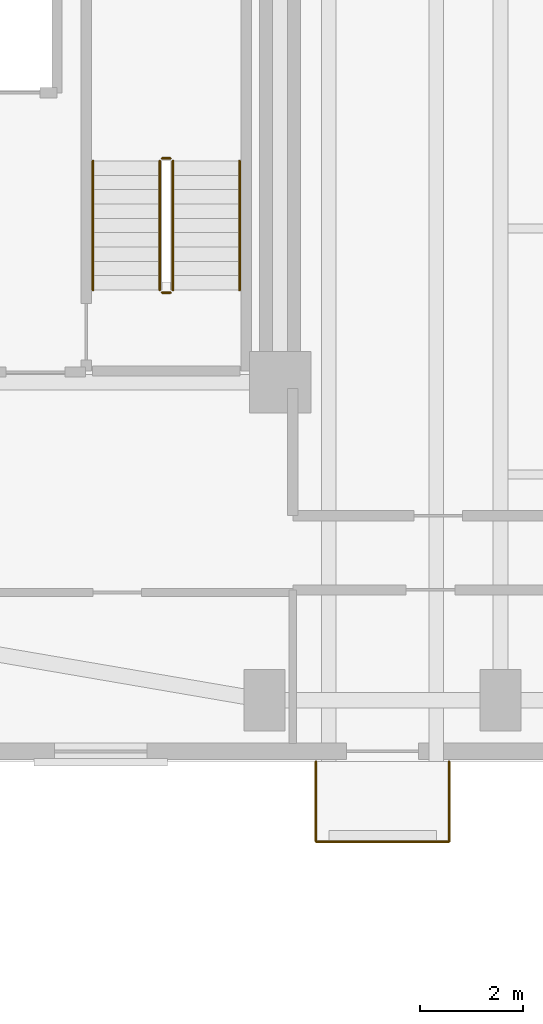
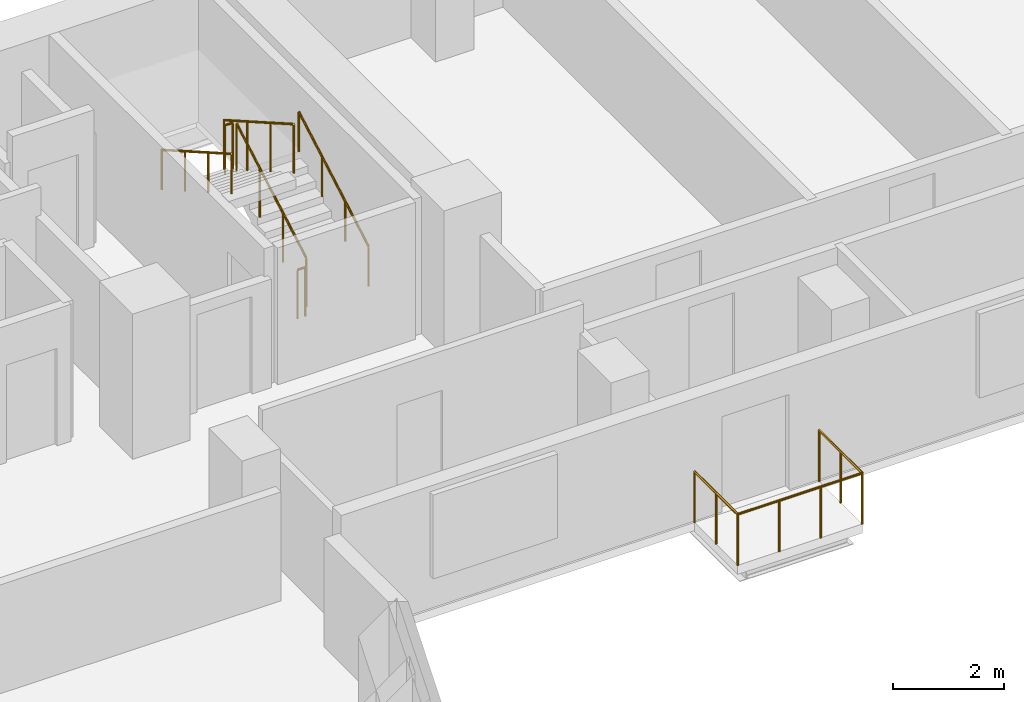
# One storey, part 9 of 11: 9 railings.
"""IFC4 building model written with IfcOpenShell, lengths in metres."""

from ifc_helpers import new_model, si_unit, direction, frame, origin, origin_2d, place, context, subcontext, project, spatial, circle, extrude, material, layer, layer_set, type_object, element, save


model = new_model("IFC4")

# Units and contexts
model_context = context("Model", 3, precision=1e-05, world=origin(), true_north=direction((0.0, 1.0)))
body_context = subcontext(model_context, "Body", "Model", "MODEL_VIEW")
ifc_project = project(units=[si_unit("LENGTHUNIT", "METRE"), si_unit("AREAUNIT", "SQUARE_METRE"), si_unit("VOLUMEUNIT", "CUBIC_METRE"), si_unit("PLANEANGLEUNIT", "RADIAN"), si_unit("MASSUNIT", "GRAM", prefix="KILO")], contexts=[model_context])

# Site, building, storey
site_placement = place(None, origin())
site = spatial("IfcSite", under=ifc_project, at=site_placement, CompositionType="ELEMENT")
building_placement = place(site_placement, origin())
building = spatial("IfcBuilding", under=site, at=building_placement, Name="Kuzgunbayir Cultural Tower", CompositionType="ELEMENT")
storey_placement = place(building_placement, frame((0.0, 0.0, 86.60009765625)))
storey = spatial("IfcBuildingStorey", under=building, at=storey_placement, Name="L24", CompositionType="ELEMENT", Elevation=86.60009765625)

# Railings
ifc_material_1 = material(Name="Laminated Glass and Stainless Steel", Category="steel")
ifc_layer_1 = layer(ifc_material_1, 0.080078125)
ifc_layer_set_1 = layer_set([ifc_layer_1], Name="Laminated Glass and Stainless Steel")
railing_type_1 = type_object("IfcRailingType", Name="RLG-BAL-115", PredefinedType="BALUSTRADE", material=ifc_layer_set_1)
railing_1_placement = place(storey_placement, frame((27.60009765625, 26.39990234375, 0.0)))
element("IfcRailing", 1, at=railing_1_placement, inside=storey, type_object=railing_type_1, Name="L24 Balcony Guard BAL-L24-WB1 Segment 1", PredefinedType="BALUSTRADE", context=body_context, shape_type="SweptSolid", body=[
    extrude(circle(Radius=0.02392578125, at=origin_2d()), frame((0.0, 0.0, 1.1259765625), z_axis=(0.0, -1.0, 0.0), x_axis=(1.0, 0.0, 0.0)), (0.0, 0.0, 1.0), 1.559814453125),
    extrude(circle(Radius=0.02099609375, at=origin_2d()), origin(), (0.0, 0.0, 1.0), 1.101806640625),
    extrude(circle(Radius=0.02099609375, at=origin_2d()), frame((0.0, -0.77978515625, 0.0)), (0.0, 0.0, 1.0), 1.101806640625),
    extrude(circle(Radius=0.02099609375, at=origin_2d()), frame((0.0, -1.559814453125, 0.0)), (0.0, 0.0, 1.0), 1.101806640625),
])
railing_2_placement = place(storey_placement, frame((27.60009765625, 24.840087890625, 0.0)))
element("IfcRailing", 2, at=railing_2_placement, inside=storey, type_object=railing_type_1, Name="L24 Balcony Guard BAL-L24-WB1 Segment 2", PredefinedType="BALUSTRADE", context=body_context, shape_type="SweptSolid", body=[
    extrude(circle(Radius=0.02392578125, at=origin_2d()), frame((0.0, 0.0, 1.1259765625), z_axis=(1.0, 0.0, 0.0), x_axis=(0.0, 1.0, 0.0)), (0.0, 0.0, 1.0), 2.599853515625),
    extrude(circle(Radius=0.02099609375, at=origin_2d()), origin(), (0.0, 0.0, 1.0), 1.101806640625),
    extrude(circle(Radius=0.02099609375, at=origin_2d()), frame((0.86669921875, 0.0, 0.0)), (0.0, 0.0, 1.0), 1.101806640625),
    extrude(circle(Radius=0.02099609375, at=origin_2d()), frame((1.733154296875, 0.0, 0.0)), (0.0, 0.0, 1.0), 1.101806640625),
    extrude(circle(Radius=0.02099609375, at=origin_2d()), frame((2.599853515625, 0.0, 0.0)), (0.0, 0.0, 1.0), 1.101806640625),
])
railing_3_placement = place(storey_placement, frame((30.199951171875, 24.840087890625, 0.0)))
element("IfcRailing", 3, at=railing_3_placement, inside=storey, type_object=railing_type_1, Name="L24 Balcony Guard BAL-L24-WB1 Segment 3", PredefinedType="BALUSTRADE", context=body_context, shape_type="SweptSolid", body=[
    extrude(circle(Radius=0.02392578125, at=origin_2d()), frame((0.0, 0.0, 1.1259765625), z_axis=(0.0, 1.0, 0.0), x_axis=(-1.0, 0.0, 0.0)), (0.0, 0.0, 1.0), 1.559814453125),
    extrude(circle(Radius=0.02099609375, at=origin_2d()), origin(), (0.0, 0.0, 1.0), 1.101806640625),
    extrude(circle(Radius=0.02099609375, at=origin_2d()), frame((0.0, 0.77978515625, 0.0)), (0.0, 0.0, 1.0), 1.101806640625),
    extrude(circle(Radius=0.02099609375, at=origin_2d()), frame((0.0, 1.559814453125, 0.0)), (0.0, 0.0, 1.0), 1.101806640625),
])
ifc_material_2 = material(Name="Brushed Stainless Steel", Category="steel")
ifc_layer_2 = layer(ifc_material_2, 0.050048828125)
ifc_layer_set_2 = layer_set([ifc_layer_2], Name="Brushed Stainless Steel")
railing_type_2 = type_object("IfcRailingType", Name="RLG-STAIR-HANDRAIL", PredefinedType="HANDRAIL", material=ifc_layer_set_2)
railing_4_placement = place(storey_placement, frame((26.110107421875, 35.60009765625, 0.159912109375)))
element("IfcRailing", 4, at=railing_4_placement, inside=storey, type_object=railing_type_2, Name="L24 ST-2 stair handrail 1", PredefinedType="HANDRAIL", context=body_context, shape_type="SweptSolid", body=[
    extrude(circle(Radius=0.02392578125, at=origin_2d()), frame((0.0, 0.0, 0.8759765625), z_axis=(0.0, 0.868253494771, 0.496120820787), x_axis=(-1.0, 0.0, 0.0)), (0.0, 0.0, 1.0), 2.90234375),
    extrude(circle(Radius=0.02099609375, at=origin_2d()), origin(), (0.0, 0.0, 1.0), 0.851806640625),
    extrude(circle(Radius=0.02099609375, at=origin_2d()), frame((0.0, 0.840087890625, 0.47998046875)), (0.0, 0.0, 1.0), 0.851806640625),
    extrude(circle(Radius=0.02099609375, at=origin_2d()), frame((0.0, 1.679931640625, 0.9599609375)), (0.0, 0.0, 1.0), 0.851806640625),
    extrude(circle(Radius=0.02099609375, at=origin_2d()), frame((0.0, 2.52001953125, 1.43994140625)), (0.0, 0.0, 1.0), 0.851806640625),
])
railing_5_placement = place(storey_placement, frame((23.25, 38.1201171875, 1.760009765625)))
element("IfcRailing", 5, at=railing_5_placement, inside=storey, type_object=railing_type_2, Name="L24 ST-2 stair handrail 2", PredefinedType="HANDRAIL", context=body_context, shape_type="SweptSolid", body=[
    extrude(circle(Radius=0.02392578125, at=origin_2d()), frame((0.0, 0.0, 0.8759765625), z_axis=(0.0, -0.868253494771, 0.496120820787), x_axis=(1.0, 0.0, 0.0)), (0.0, 0.0, 1.0), 2.90234375),
    extrude(circle(Radius=0.02099609375, at=origin_2d()), origin(), (0.0, 0.0, 1.0), 0.851806640625),
    extrude(circle(Radius=0.02099609375, at=origin_2d()), frame((0.0, -0.840087890625, 0.47998046875)), (0.0, 0.0, 1.0), 0.851806640625),
    extrude(circle(Radius=0.02099609375, at=origin_2d()), frame((0.0, -1.679931640625, 0.9599609375)), (0.0, 0.0, 1.0), 0.851806640625),
    extrude(circle(Radius=0.02099609375, at=origin_2d()), frame((0.0, -2.52001953125, 1.43994140625)), (0.0, 0.0, 1.0), 0.851806640625),
])
ifc_material_3 = material(Name="Painted Steel Balustrade", Category="steel")
ifc_layer_3 = layer(ifc_material_3, 0.06005859375)
ifc_layer_set_3 = layer_set([ifc_layer_3], Name="Painted Steel Balustrade")
railing_type_3 = type_object("IfcRailingType", Name="RLG-WELL-GUARD", PredefinedType="GUARDRAIL", material=ifc_layer_set_3)
railing_6_placement = place(storey_placement, frame((24.81005859375, 35.60009765625, 0.159912109375)))
element("IfcRailing", 6, at=railing_6_placement, inside=storey, type_object=railing_type_3, Name="L24 ST-2 stair guard 1", PredefinedType="GUARDRAIL", context=body_context, shape_type="SweptSolid", body=[
    extrude(circle(Radius=0.02392578125, at=origin_2d()), frame((0.0, 0.0, 1.076171875), z_axis=(0.0, 0.868253494771, 0.496120820787), x_axis=(-1.0, 0.0, 0.0)), (0.0, 0.0, 1.0), 2.90234375),
    extrude(circle(Radius=0.02099609375, at=origin_2d()), origin(), (0.0, 0.0, 1.0), 1.052001953125),
    extrude(circle(Radius=0.02099609375, at=origin_2d()), frame((0.0, 0.840087890625, 0.47998046875)), (0.0, 0.0, 1.0), 1.052001953125),
    extrude(circle(Radius=0.02099609375, at=origin_2d()), frame((0.0, 1.679931640625, 0.9599609375)), (0.0, 0.0, 1.0), 1.052001953125),
    extrude(circle(Radius=0.02099609375, at=origin_2d()), frame((0.0, 2.52001953125, 1.43994140625)), (0.0, 0.0, 1.0), 1.052001953125),
])
railing_7_placement = place(storey_placement, frame((24.760009765625, 38.169921875, 1.599853515625)))
element("IfcRailing", 7, at=railing_7_placement, inside=storey, type_object=railing_type_3, Name="L24 ST-2 stair guard 2", PredefinedType="GUARDRAIL", context=body_context, shape_type="SweptSolid", body=[
    extrude(circle(Radius=0.02392578125, at=origin_2d()), frame((0.0, 0.0, 1.076171875), z_axis=(-1.0, 0.0, 0.0), x_axis=(0.0, -1.0, 0.0)), (0.0, 0.0, 1.0), 0.159912109375),
    extrude(circle(Radius=0.02099609375, at=origin_2d()), origin(), (0.0, 0.0, 1.0), 1.052001953125),
    extrude(circle(Radius=0.02099609375, at=origin_2d()), frame((-0.159912109375, 0.0, 0.0)), (0.0, 0.0, 1.0), 1.052001953125),
])
railing_8_placement = place(storey_placement, frame((24.550048828125, 38.1201171875, 1.760009765625)))
element("IfcRailing", 8, at=railing_8_placement, inside=storey, type_object=railing_type_3, Name="L24 ST-2 stair guard 3", PredefinedType="GUARDRAIL", context=body_context, shape_type="SweptSolid", body=[
    extrude(circle(Radius=0.02392578125, at=origin_2d()), frame((0.0, 0.0, 1.076171875), z_axis=(0.0, -0.868253494771, 0.496120820787), x_axis=(1.0, 0.0, 0.0)), (0.0, 0.0, 1.0), 2.90234375),
    extrude(circle(Radius=0.02099609375, at=origin_2d()), origin(), (0.0, 0.0, 1.0), 1.052001953125),
    extrude(circle(Radius=0.02099609375, at=origin_2d()), frame((0.0, -0.840087890625, 0.47998046875)), (0.0, 0.0, 1.0), 1.052001953125),
    extrude(circle(Radius=0.02099609375, at=origin_2d()), frame((0.0, -1.679931640625, 0.9599609375)), (0.0, 0.0, 1.0), 1.052001953125),
    extrude(circle(Radius=0.02099609375, at=origin_2d()), frame((0.0, -2.52001953125, 1.43994140625)), (0.0, 0.0, 1.0), 1.052001953125),
])
railing_9_placement = place(storey_placement, frame((24.760009765625, 35.550048828125, 0.0)))
element("IfcRailing", 9, at=railing_9_placement, inside=storey, type_object=railing_type_3, Name="L24 ST-2 stair guard 4", PredefinedType="GUARDRAIL", context=body_context, shape_type="SweptSolid", body=[
    extrude(circle(Radius=0.02392578125, at=origin_2d()), frame((0.0, 0.0, 1.076171875), z_axis=(-1.0, 0.0, 0.0), x_axis=(0.0, -1.0, 0.0)), (0.0, 0.0, 1.0), 0.159912109375),
    extrude(circle(Radius=0.02099609375, at=origin_2d()), origin(), (0.0, 0.0, 1.0), 1.052001953125),
    extrude(circle(Radius=0.02099609375, at=origin_2d()), frame((-0.159912109375, 0.0, 0.0)), (0.0, 0.0, 1.0), 1.052001953125),
])

save(model, "model.ifc")
